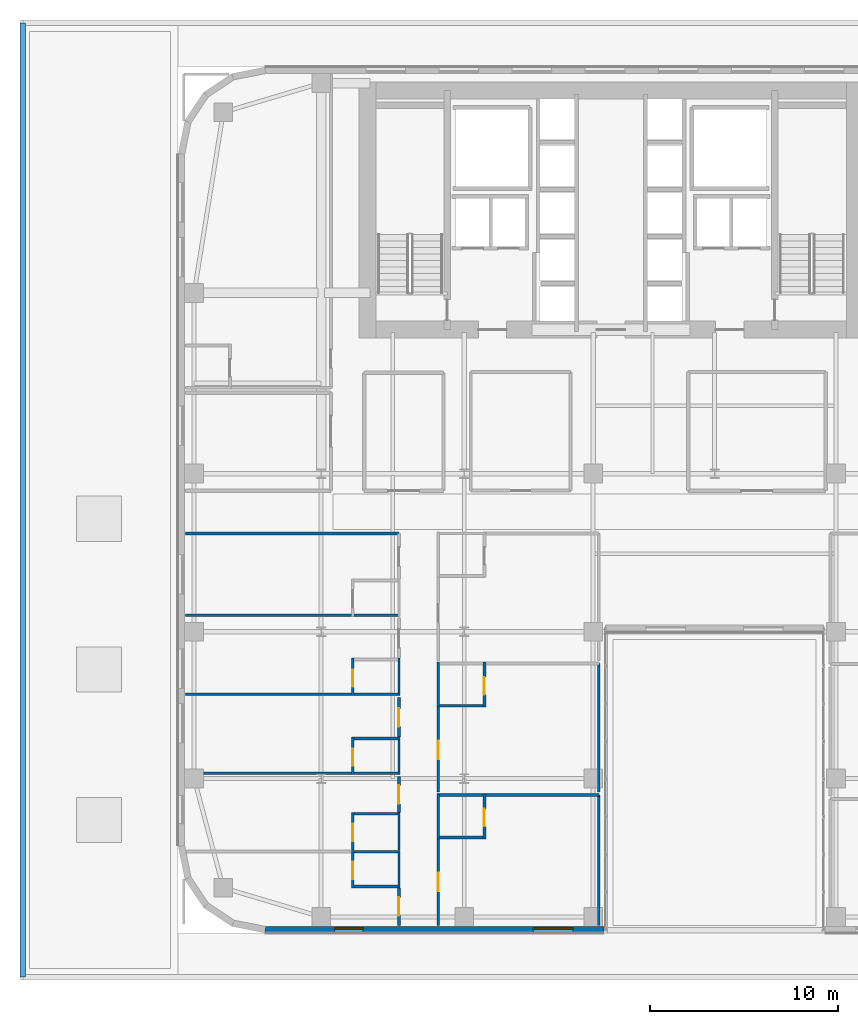
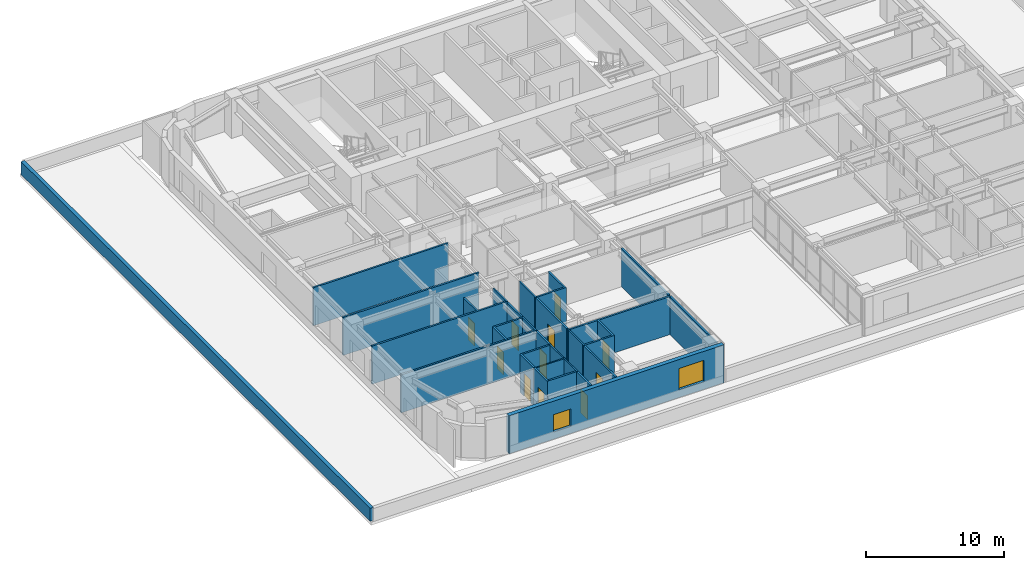
# One storey, part 13 of 25: 33 walls, 11 doors, 2 windows, 13 openings.
"""IFC4 building model written with IfcOpenShell, lengths in metres."""

from ifc_helpers import new_model, si_unit, direction, frame, frame_2d, origin, place, context, subcontext, project, spatial, rectangle, extrude, source, transform, mapped, material, layer, layer_set, type_object, type_shapes, element, fill, save


model = new_model("IFC4")

# Units and contexts
model_context = context("Model", 3, precision=1e-05, world=origin(), true_north=direction((0.0, 1.0)))
body_context = subcontext(model_context, "Body", "Model", "MODEL_VIEW")
ifc_project = project(units=[si_unit("LENGTHUNIT", "METRE"), si_unit("AREAUNIT", "SQUARE_METRE"), si_unit("VOLUMEUNIT", "CUBIC_METRE"), si_unit("PLANEANGLEUNIT", "RADIAN"), si_unit("MASSUNIT", "GRAM", prefix="KILO")], contexts=[model_context])

# Site, building, storey
site_placement = place(None, origin())
site = spatial("IfcSite", under=ifc_project, at=site_placement, CompositionType="ELEMENT")
building_placement = place(site_placement, origin())
building = spatial("IfcBuilding", under=site, at=building_placement, Name="Tolvann Quenvar Hotel", CompositionType="ELEMENT")
storey_placement = place(building_placement, frame((0.0, 0.0, 32.0)))
storey = spatial("IfcBuildingStorey", under=building, at=storey_placement, Name="L06", CompositionType="ELEMENT", Elevation=32.0)

# Wall, openings, windows
ifc_material_1 = material(Name="Kiln-fired red and buff architectural clay brickwork and terracotta masonry", Category="masonry")
ifc_layer_1 = layer(ifc_material_1, 0.35009765625)
ifc_layer_set_1 = layer_set([ifc_layer_1], Name="Kiln-fired red and buff architectural clay brickwork and terracotta masonry")
wall_type_1 = type_object("IfcWallType", Name="WALL_EXT_BRICK_350", PredefinedType="SOLIDWALL", material=ifc_layer_set_1)
wall_1_placement = place(storey_placement, frame((4.6171875, 0.175048828125, 0.0), z_axis=(0.0, 0.0, 1.0), x_axis=(1.0, 0.0, 0.0)))
wall_1 = element("IfcWall", 1, at=wall_1_placement, inside=storey, type_object=wall_type_1, Name="Exterior Chicago Brick Wall L06-E04", PredefinedType="SOLIDWALL", context=body_context, shape_type="SweptSolid", body=[
    extrude(rectangle(XDim=18.0078125, YDim=0.35009765625, at=frame_2d((9.00390625, 0.0))), origin(), (0.0, 0.0, 1.0), 3.3701171875),
])
opening_1_placement = place(wall_1_placement, frame((14.257080078125, 0.0, 0.679931640625)))
opening_1 = element("IfcOpeningElement", 2, at=opening_1_placement, cuts=wall_1, Name="Opening W-02", PredefinedType="OPENING", context=body_context, shape_type="SweptSolid", body=[
    extrude(rectangle(XDim=2.10009765625, YDim=1.89990234375, at=frame_2d((1.050048828125, 0.949951171875))), frame((0.0, 0.18505859375, 0.0), z_axis=(0.0, -1.0, 0.0), x_axis=(1.0, 0.0, 0.0)), (0.0, 0.0, 1.0), 0.3701171875),
])
opening_2_placement = place(wall_1_placement, frame((3.699951171875, 0.0, 0.6201171875)))
opening_2 = element("IfcOpeningElement", 3, at=opening_2_placement, cuts=wall_1, Name="Opening W-08", PredefinedType="OPENING", context=body_context, shape_type="SweptSolid", body=[
    extrude(rectangle(XDim=1.5, YDim=1.550048828125, at=frame_2d((0.75, 0.77490234375))), frame((0.0, 0.18505859375, 0.0), z_axis=(0.0, -1.0, 0.0), x_axis=(1.0, 0.0, 0.0)), (0.0, 0.0, 1.0), 0.3701171875),
])
ifc_material_2 = material(Name="Thermally broken bronze-anodised aluminium frame with double low-E glazing", Category="aluminium")
window_type_1 = type_object("IfcWindowType", Name="WIN_COR_1500x2050", PartitioningType="SINGLE_PANEL", PredefinedType="WINDOW", material=ifc_material_2)
shared_shape_1 = source(origin(), body_context, "Body", "SweptSolid", [
    extrude(rectangle(XDim=1.5, YDim=1.550048828125, at=frame_2d((0.75, 0.77490234375))), frame((0.0, 0.090087890625, 0.0), z_axis=(0.0, -1.0, 0.0), x_axis=(1.0, 0.0, 0.0)), (0.0, 0.0, 1.0), 0.06005859375),
])
type_shapes(window_type_1, [shared_shape_1])
window_1_placement = place(opening_2_placement, origin())
window_1 = element("IfcWindow", 4, at=window_1_placement, inside=storey, type_object=window_type_1, Name="Chicago Window W-08 (EW-L06-E04-WD02)", OverallHeight=1.550048828125, OverallWidth=1.5, PartitioningType="SINGLE_PANEL", PredefinedType="WINDOW", context=body_context, shape_type="MappedRepresentation", body=[
    mapped(shared_shape_1, transform((0.0, 0.0, 0.0), x_axis=(1.0, 0.0, 0.0), y_axis=(0.0, 1.0, 0.0), z_axis=(0.0, 0.0, 1.0), scale=1.0)),
])
fill(opening_2, window_1)
window_type_2 = type_object("IfcWindowType", Name="WIN_CHI_2100x2050", PartitioningType="TRIPLE_PANEL_HORIZONTAL", PredefinedType="WINDOW", material=ifc_material_2)
shared_shape_2 = source(origin(), body_context, "Body", "SweptSolid", [
    extrude(rectangle(XDim=2.10009765625, YDim=1.89990234375, at=frame_2d((1.050048828125, 0.949951171875))), frame((0.0, 0.090087890625, 0.0), z_axis=(0.0, -1.0, 0.0), x_axis=(1.0, 0.0, 0.0)), (0.0, 0.0, 1.0), 0.06005859375),
])
type_shapes(window_type_2, [shared_shape_2])
window_2_placement = place(opening_1_placement, origin())
window_2 = element("IfcWindow", 5, at=window_2_placement, inside=storey, type_object=window_type_2, Name="Chicago Window W-02 (EW-L06-E04-W01)", OverallHeight=1.89990234375, OverallWidth=2.10009765625, PartitioningType="TRIPLE_PANEL_HORIZONTAL", PredefinedType="WINDOW", context=body_context, shape_type="MappedRepresentation", body=[
    mapped(shared_shape_2, transform((0.0, 0.0, 0.0), x_axis=(1.0, 0.0, 0.0), y_axis=(0.0, 1.0, 0.0), z_axis=(0.0, 0.0, 1.0), scale=1.0)),
])
fill(opening_1, window_2)

# Walls
ifc_layer_2 = layer(ifc_material_1, 0.300048828125)
ifc_layer_set_2 = layer_set([ifc_layer_2], Name="Kiln-fired red and buff architectural clay brickwork and terracotta masonry")
wall_type_2 = type_object("IfcWallType", Name="WALL_PARAPET_300", PredefinedType="PARAPET", material=ifc_layer_set_2)
wall_2_placement = place(storey_placement, frame((-8.25, -2.35009765625, 0.0), z_axis=(0.0, 0.0, 1.0), x_axis=(0.0, 1.0, 0.0)))
element("IfcWall", 6, at=wall_2_placement, inside=storey, type_object=wall_type_2, Name="Podium Roof Parapet POD-W", PredefinedType="PARAPET", context=body_context, shape_type="SweptSolid", body=[
    extrude(rectangle(XDim=50.7001953125, YDim=0.300048828125, at=frame_2d((25.35009765625, 0.0))), origin(), (0.0, 0.0, 1.0), 1.14990234375),
])
ifc_material_3 = material(Name="Moisture-resistant acoustic plumbing wall assembly")
ifc_layer_3 = layer(ifc_material_3, 0.1201171875)
ifc_layer_set_3 = layer_set([ifc_layer_3], Name="Moisture-resistant acoustic plumbing wall assembly")
wall_type_3 = type_object("IfcWallType", Name="WALL_PART_BATH_120", PredefinedType="PLUMBINGWALL", material=ifc_layer_set_3)
wall_3_placement = place(storey_placement, frame((9.2099609375, 4.320068359375, 0.0), z_axis=(0.0, 0.0, 1.0), x_axis=(1.0, 0.0, 0.0)))
element("IfcWall", 7, at=wall_3_placement, inside=storey, type_object=wall_type_3, Name="Non-Rated Plumbing Partition PT-SPC-L06-ENS-WO01-N", PredefinedType="PLUMBINGWALL", context=body_context, shape_type="SweptSolid", body=[
    extrude(rectangle(XDim=2.590087890625, YDim=0.1201171875, at=frame_2d((1.294921875, 0.0))), origin(), (0.0, 0.0, 1.0), 3.3701171875),
])
for number, where, z_axis, x_axis, name in (
    (8, (11.72998046875, 2.39990234375, 0.0), (0.0, 0.0, 1.0), (0.0, 1.0, 0.0), "Non-Rated Plumbing Partition PT-SPC-L06-ENS-WO01-E"),
    (9, (11.72998046875, 4.409912109375, 0.0), (0.0, 0.0, 1.0), (0.0, 1.0, 0.0), "Non-Rated Plumbing Partition PT-SPC-L06-ENS-WO02-E"),
    (10, (11.72998046875, 8.409912109375, 0.0), (0.0, 0.0, 1.0), (0.0, 1.0, 0.0), "Non-Rated Plumbing Partition PT-SPC-L06-ENS-WO03-E"),
    (11, (11.72998046875, 12.610107421875, 0.0), (0.0, 0.0, 1.0), (0.0, 1.0, 0.0), "Non-Rated Plumbing Partition PT-SPC-L06-ENS-WO04-E"),
):
    element("IfcWall", number, at=place(storey_placement, frame(where, z_axis=z_axis, x_axis=x_axis)), inside=storey, type_object=wall_type_3, Name=name, PredefinedType="PLUMBINGWALL", context=body_context, shape_type="SweptSolid", body=[
        extrude(rectangle(XDim=1.989990234375, YDim=0.1201171875, at=frame_2d((0.9951171875, 0.0))), origin(), (0.0, 0.0, 1.0), 3.3701171875),
    ])
for number, where, z_axis, x_axis, name in (
    (12, (13.820068359375, 5.0, 0.0), (0.0, 0.0, 1.0), (0.0, 1.0, 0.0), "Non-Rated Plumbing Partition PT-SPC-L06-ENS-WI01-W"),
    (13, (13.820068359375, 12.0, 0.0), (0.0, 0.0, 1.0), (0.0, 1.0, 0.0), "Non-Rated Plumbing Partition PT-SPC-L06-ENS-WI02-W"),
):
    element("IfcWall", number, at=place(storey_placement, frame(where, z_axis=z_axis, x_axis=x_axis)), inside=storey, type_object=wall_type_3, Name=name, PredefinedType="PLUMBINGWALL", context=body_context, shape_type="SweptSolid", body=[
        extrude(rectangle(XDim=2.389892578125, YDim=0.1201171875, at=frame_2d((1.19482421875, 0.0))), origin(), (0.0, 0.0, 1.0), 3.3701171875),
    ])

# Wall, opening, door
ifc_material_4 = material(Name="Acoustic twin-stud fire-rated gypsum plasterboard partition")
ifc_layer_4 = layer(ifc_material_4, 0.14990234375)
ifc_layer_set_4 = layer_set([ifc_layer_4], Name="Acoustic twin-stud fire-rated gypsum plasterboard partition")
wall_type_4 = type_object("IfcWallType", Name="WALL_PART_SUITE_150", PredefinedType="PARTITIONING", material=ifc_layer_set_4)
wall_4_placement = place(storey_placement, frame((9.280029296875, 2.39990234375, 0.0), z_axis=(0.0, 0.0, 1.0), x_axis=(0.0, 1.0, 0.0)))
wall_4 = element("IfcWall", 14, at=wall_4_placement, inside=storey, type_object=wall_type_4, Name="Interior Partition PT-SPC-L06-ENS-WO01-ENT", PredefinedType="PARTITIONING", context=body_context, shape_type="SweptSolid", body=[
    extrude(rectangle(XDim=1.989990234375, YDim=0.14990234375, at=frame_2d((0.9951171875, 0.0))), origin(), (0.0, 0.0, 1.0), 3.3701171875),
])
opening_3_placement = place(wall_4_placement, frame((0.465087890625, 0.0, 0.0)))
opening_3 = element("IfcOpeningElement", 15, at=opening_3_placement, cuts=wall_4, Name="Opening WD-01", PredefinedType="OPENING", context=body_context, shape_type="SweptSolid", body=[
    extrude(rectangle(XDim=0.919921875, YDim=2.010009765625, at=frame_2d((0.4599609375, 1.0048828125))), frame((0.0, 0.0849609375, 0.0), z_axis=(0.0, -1.0, 0.0), x_axis=(1.0, 0.0, 0.0)), (0.0, 0.0, 1.0), 0.169921875),
])
ifc_material_5 = material(Name="Solid-core American oak acoustic fire door leaf in steel frame", Category="steel")
door_type_1 = type_object("IfcDoorType", Name="DOOR_WC_920", OperationType="NOTDEFINED", PredefinedType="DOOR", material=ifc_material_5)
shared_shape_3 = source(origin(), body_context, "Body", "SweptSolid", [
    extrude(rectangle(XDim=0.919921875, YDim=2.010009765625, at=frame_2d((0.4599609375, 1.0048828125))), frame((0.0, 0.02490234375, 0.0), z_axis=(0.0, -1.0, 0.0), x_axis=(1.0, 0.0, 0.0)), (0.0, 0.0, 1.0), 0.050048828125),
])
type_shapes(door_type_1, [shared_shape_3])
door_1_placement = place(opening_3_placement, origin())
door_1 = element("IfcDoor", 16, at=door_1_placement, inside=storey, type_object=door_type_1, Name="Interior Door DOOR-SPC-L06-ENS-WO01", OperationType="SINGLE_SWING_RIGHT", OverallHeight=2.010009765625, OverallWidth=0.919921875, PredefinedType="DOOR", context=body_context, shape_type="MappedRepresentation", body=[
    mapped(shared_shape_3, transform((0.0, 0.0, 0.0), x_axis=(1.0, 0.0, 0.0), y_axis=(0.0, 1.0, 0.0), z_axis=(0.0, 0.0, 1.0), scale=1.0)),
])
fill(opening_3, door_1)

# Wall
wall_5_placement = place(storey_placement, frame((9.2099609375, 2.469970703125, 0.0), z_axis=(0.0, 0.0, 1.0), x_axis=(1.0, 0.0, 0.0)))
element("IfcWall", 17, at=wall_5_placement, inside=storey, type_object=wall_type_4, Name="Interior Partition PT-SPC-L06-ENS-WO01-S", PredefinedType="PARTITIONING", context=body_context, shape_type="SweptSolid", body=[
    extrude(rectangle(XDim=2.590087890625, YDim=0.14990234375, at=frame_2d((1.294921875, 0.0))), origin(), (0.0, 0.0, 1.0), 3.3701171875),
])

# Wall, opening, door
wall_6_placement = place(storey_placement, frame((9.280029296875, 4.409912109375, 0.0), z_axis=(0.0, 0.0, 1.0), x_axis=(0.0, 1.0, 0.0)))
wall_6 = element("IfcWall", 18, at=wall_6_placement, inside=storey, type_object=wall_type_4, Name="Interior Partition PT-SPC-L06-ENS-WO02-ENT", PredefinedType="PARTITIONING", context=body_context, shape_type="SweptSolid", body=[
    extrude(rectangle(XDim=1.989990234375, YDim=0.14990234375, at=frame_2d((0.9951171875, 0.0))), origin(), (0.0, 0.0, 1.0), 3.3701171875),
])
opening_4_placement = place(wall_6_placement, frame((0.465087890625, 0.0, 0.0)))
opening_4 = element("IfcOpeningElement", 19, at=opening_4_placement, cuts=wall_6, Name="Opening WD-01", PredefinedType="OPENING", context=body_context, shape_type="SweptSolid", body=[
    extrude(rectangle(XDim=0.919921875, YDim=2.010009765625, at=frame_2d((0.4599609375, 1.0048828125))), frame((0.0, 0.0849609375, 0.0), z_axis=(0.0, -1.0, 0.0), x_axis=(1.0, 0.0, 0.0)), (0.0, 0.0, 1.0), 0.169921875),
])
door_2_placement = place(opening_4_placement, origin())
door_2 = element("IfcDoor", 20, at=door_2_placement, inside=storey, type_object=door_type_1, Name="Interior Door DOOR-SPC-L06-ENS-WO02", OperationType="SINGLE_SWING_LEFT", OverallHeight=2.010009765625, OverallWidth=0.919921875, PredefinedType="DOOR", context=body_context, shape_type="MappedRepresentation", body=[
    mapped(shared_shape_3, transform((0.0, 0.0, 0.0), x_axis=(1.0, 0.0, 0.0), y_axis=(0.0, 1.0, 0.0), z_axis=(0.0, 0.0, 1.0), scale=1.0)),
])
fill(opening_4, door_2)

# Wall
wall_7_placement = place(storey_placement, frame((9.2099609375, 6.330078125, 0.0), z_axis=(0.0, 0.0, 1.0), x_axis=(1.0, 0.0, 0.0)))
element("IfcWall", 21, at=wall_7_placement, inside=storey, type_object=wall_type_4, Name="Interior Partition PT-SPC-L06-ENS-WO02-N", PredefinedType="PARTITIONING", context=body_context, shape_type="SweptSolid", body=[
    extrude(rectangle(XDim=2.590087890625, YDim=0.14990234375, at=frame_2d((1.294921875, 0.0))), origin(), (0.0, 0.0, 1.0), 3.3701171875),
])

# Wall, opening, door
wall_8_placement = place(storey_placement, frame((9.280029296875, 8.409912109375, 0.0), z_axis=(0.0, 0.0, 1.0), x_axis=(0.0, 1.0, 0.0)))
wall_8 = element("IfcWall", 22, at=wall_8_placement, inside=storey, type_object=wall_type_4, Name="Interior Partition PT-SPC-L06-ENS-WO03-ENT", PredefinedType="PARTITIONING", context=body_context, shape_type="SweptSolid", body=[
    extrude(rectangle(XDim=1.989990234375, YDim=0.14990234375, at=frame_2d((0.9951171875, 0.0))), origin(), (0.0, 0.0, 1.0), 3.3701171875),
])
opening_5_placement = place(wall_8_placement, frame((0.465087890625, 0.0, 0.0)))
opening_5 = element("IfcOpeningElement", 23, at=opening_5_placement, cuts=wall_8, Name="Opening WD-01", PredefinedType="OPENING", context=body_context, shape_type="SweptSolid", body=[
    extrude(rectangle(XDim=0.919921875, YDim=2.010009765625, at=frame_2d((0.4599609375, 1.0048828125))), frame((0.0, 0.0849609375, 0.0), z_axis=(0.0, -1.0, 0.0), x_axis=(1.0, 0.0, 0.0)), (0.0, 0.0, 1.0), 0.169921875),
])
door_3_placement = place(opening_5_placement, origin())
door_3 = element("IfcDoor", 24, at=door_3_placement, inside=storey, type_object=door_type_1, Name="Interior Door DOOR-SPC-L06-ENS-WO03", OperationType="SINGLE_SWING_RIGHT", OverallHeight=2.010009765625, OverallWidth=0.919921875, PredefinedType="DOOR", context=body_context, shape_type="MappedRepresentation", body=[
    mapped(shared_shape_3, transform((0.0, 0.0, 0.0), x_axis=(1.0, 0.0, 0.0), y_axis=(0.0, 1.0, 0.0), z_axis=(0.0, 0.0, 1.0), scale=1.0)),
])
fill(opening_5, door_3)

# Walls
wall_9_placement = place(storey_placement, frame((0.405029296875, 8.47998046875, 0.0), z_axis=(0.0, 0.0, 1.0), x_axis=(1.0, 0.0, 0.0)))
element("IfcWall", 25, at=wall_9_placement, inside=storey, type_object=wall_type_4, Name="Interior Partition PT-SPC-L06-ENS-WO03-S", PredefinedType="PARTITIONING", context=body_context, shape_type="SweptSolid", body=[
    extrude(rectangle(XDim=11.39501953125, YDim=0.14990234375, at=frame_2d((5.697509765625, 0.0))), origin(), (0.0, 0.0, 1.0), 3.3701171875),
])
wall_10_placement = place(storey_placement, frame((9.2099609375, 10.330078125, 0.0), z_axis=(0.0, 0.0, 1.0), x_axis=(1.0, 0.0, 0.0)))
element("IfcWall", 26, at=wall_10_placement, inside=storey, type_object=wall_type_4, Name="Interior Partition PT-SPC-L06-ENS-WO03-N", PredefinedType="PARTITIONING", context=body_context, shape_type="SweptSolid", body=[
    extrude(rectangle(XDim=2.590087890625, YDim=0.14990234375, at=frame_2d((1.294921875, 0.0))), origin(), (0.0, 0.0, 1.0), 3.3701171875),
])

# Wall, opening, door
wall_11_placement = place(storey_placement, frame((9.280029296875, 12.610107421875, 0.0), z_axis=(0.0, 0.0, 1.0), x_axis=(0.0, 1.0, 0.0)))
wall_11 = element("IfcWall", 27, at=wall_11_placement, inside=storey, type_object=wall_type_4, Name="Interior Partition PT-SPC-L06-ENS-WO04-ENT", PredefinedType="PARTITIONING", context=body_context, shape_type="SweptSolid", body=[
    extrude(rectangle(XDim=1.989990234375, YDim=0.14990234375, at=frame_2d((0.9951171875, 0.0))), origin(), (0.0, 0.0, 1.0), 3.3701171875),
])
opening_6_placement = place(wall_11_placement, frame((0.465087890625, 0.0, 0.0)))
opening_6 = element("IfcOpeningElement", 28, at=opening_6_placement, cuts=wall_11, Name="Opening WD-01", PredefinedType="OPENING", context=body_context, shape_type="SweptSolid", body=[
    extrude(rectangle(XDim=0.919921875, YDim=2.010009765625, at=frame_2d((0.4599609375, 1.0048828125))), frame((0.0, 0.0849609375, 0.0), z_axis=(0.0, -1.0, 0.0), x_axis=(1.0, 0.0, 0.0)), (0.0, 0.0, 1.0), 0.169921875),
])
door_4_placement = place(opening_6_placement, origin())
door_4 = element("IfcDoor", 29, at=door_4_placement, inside=storey, type_object=door_type_1, Name="Interior Door DOOR-SPC-L06-ENS-WO04", OperationType="SINGLE_SWING_LEFT", OverallHeight=2.010009765625, OverallWidth=0.919921875, PredefinedType="DOOR", context=body_context, shape_type="MappedRepresentation", body=[
    mapped(shared_shape_3, transform((0.0, 0.0, 0.0), x_axis=(1.0, 0.0, 0.0), y_axis=(0.0, 1.0, 0.0), z_axis=(0.0, 0.0, 1.0), scale=1.0)),
])
fill(opening_6, door_4)

# Walls
for number, where, z_axis, x_axis, name in (
    (30, (0.405029296875, 12.679931640625, 0.0), (0.0, 0.0, 1.0), (1.0, 0.0, 0.0), "Interior Partition PT-SPC-L06-ENS-WO04-S"),
    (31, (0.405029296875, 16.8798828125, 0.0), (0.0, 0.0, 1.0), (1.0, 0.0, 0.0), "Interior Partition PT-SPC-L06-ENS-WO05-S"),
):
    element("IfcWall", number, at=place(storey_placement, frame(where, z_axis=z_axis, x_axis=x_axis)), inside=storey, type_object=wall_type_4, Name=name, PredefinedType="PARTITIONING", context=body_context, shape_type="SweptSolid", body=[
        extrude(rectangle(XDim=11.39501953125, YDim=0.14990234375, at=frame_2d((5.697509765625, 0.0))), origin(), (0.0, 0.0, 1.0), 3.3701171875),
    ])

# Wall, opening, door
wall_12_placement = place(storey_placement, frame((16.27001953125, 5.0, 0.0), z_axis=(0.0, 0.0, 1.0), x_axis=(0.0, 1.0, 0.0)))
wall_12 = element("IfcWall", 32, at=wall_12_placement, inside=storey, type_object=wall_type_4, Name="Interior Partition PT-SPC-L06-ENS-WI01-ENT", PredefinedType="PARTITIONING", context=body_context, shape_type="SweptSolid", body=[
    extrude(rectangle(XDim=2.389892578125, YDim=0.14990234375, at=frame_2d((1.19482421875, 0.0))), origin(), (0.0, 0.0, 1.0), 3.3701171875),
])
opening_7_placement = place(wall_12_placement, frame((0.6650390625, 0.0, 0.0)))
opening_7 = element("IfcOpeningElement", 33, at=opening_7_placement, cuts=wall_12, Name="Opening WD-01", PredefinedType="OPENING", context=body_context, shape_type="SweptSolid", body=[
    extrude(rectangle(XDim=0.919921875, YDim=2.010009765625, at=frame_2d((0.4599609375, 1.0048828125))), frame((0.0, 0.0849609375, 0.0), z_axis=(0.0, -1.0, 0.0), x_axis=(1.0, 0.0, 0.0)), (0.0, 0.0, 1.0), 0.169921875),
])
door_5_placement = place(opening_7_placement, origin())
door_5 = element("IfcDoor", 34, at=door_5_placement, inside=storey, type_object=door_type_1, Name="Interior Door DOOR-SPC-L06-ENS-WI01", OperationType="SINGLE_SWING_LEFT", OverallHeight=2.010009765625, OverallWidth=0.919921875, PredefinedType="DOOR", context=body_context, shape_type="MappedRepresentation", body=[
    mapped(shared_shape_3, transform((0.0, 0.0, 0.0), x_axis=(1.0, 0.0, 0.0), y_axis=(0.0, 1.0, 0.0), z_axis=(0.0, 0.0, 1.0), scale=1.0)),
])
fill(opening_7, door_5)

# Walls
for number, where, z_axis, x_axis, name in (
    (35, (13.75, 5.070068359375, 0.0), (0.0, 0.0, 1.0), (1.0, 0.0, 0.0), "Interior Partition PT-SPC-L06-ENS-WI01-S"),
    (36, (13.75, 7.320068359375, 0.0), (0.0, 0.0, 1.0), (1.0, 0.0, 0.0), "Interior Partition PT-SPC-L06-ENS-WI01-N"),
):
    element("IfcWall", number, at=place(storey_placement, frame(where, z_axis=z_axis, x_axis=x_axis)), inside=storey, type_object=wall_type_4, Name=name, PredefinedType="PARTITIONING", context=body_context, shape_type="SweptSolid", body=[
        extrude(rectangle(XDim=2.590087890625, YDim=0.14990234375, at=frame_2d((1.294921875, 0.0))), origin(), (0.0, 0.0, 1.0), 3.3701171875),
    ])

# Wall, opening, door
wall_13_placement = place(storey_placement, frame((16.27001953125, 12.0, 0.0), z_axis=(0.0, 0.0, 1.0), x_axis=(0.0, 1.0, 0.0)))
wall_13 = element("IfcWall", 37, at=wall_13_placement, inside=storey, type_object=wall_type_4, Name="Interior Partition PT-SPC-L06-ENS-WI02-ENT", PredefinedType="PARTITIONING", context=body_context, shape_type="SweptSolid", body=[
    extrude(rectangle(XDim=2.389892578125, YDim=0.14990234375, at=frame_2d((1.19482421875, 0.0))), origin(), (0.0, 0.0, 1.0), 3.3701171875),
])
opening_8_placement = place(wall_13_placement, frame((0.6650390625, 0.0, 0.0)))
opening_8 = element("IfcOpeningElement", 38, at=opening_8_placement, cuts=wall_13, Name="Opening WD-01", PredefinedType="OPENING", context=body_context, shape_type="SweptSolid", body=[
    extrude(rectangle(XDim=0.919921875, YDim=2.010009765625, at=frame_2d((0.4599609375, 1.0048828125))), frame((0.0, 0.0849609375, 0.0), z_axis=(0.0, -1.0, 0.0), x_axis=(1.0, 0.0, 0.0)), (0.0, 0.0, 1.0), 0.169921875),
])
door_6_placement = place(opening_8_placement, origin())
door_6 = element("IfcDoor", 39, at=door_6_placement, inside=storey, type_object=door_type_1, Name="Interior Door DOOR-SPC-L06-ENS-WI02", OperationType="SINGLE_SWING_RIGHT", OverallHeight=2.010009765625, OverallWidth=0.919921875, PredefinedType="DOOR", context=body_context, shape_type="MappedRepresentation", body=[
    mapped(shared_shape_3, transform((0.0, 0.0, 0.0), x_axis=(1.0, 0.0, 0.0), y_axis=(0.0, 1.0, 0.0), z_axis=(0.0, 0.0, 1.0), scale=1.0)),
])
fill(opening_8, door_6)

# Wall
wall_14_placement = place(storey_placement, frame((13.75, 12.070068359375, 0.0), z_axis=(0.0, 0.0, 1.0), x_axis=(1.0, 0.0, 0.0)))
element("IfcWall", 40, at=wall_14_placement, inside=storey, type_object=wall_type_4, Name="Interior Partition PT-SPC-L06-ENS-WI02-S", PredefinedType="PARTITIONING", context=body_context, shape_type="SweptSolid", body=[
    extrude(rectangle(XDim=2.590087890625, YDim=0.14990234375, at=frame_2d((1.294921875, 0.0))), origin(), (0.0, 0.0, 1.0), 3.3701171875),
])

# Wall, opening, door
wall_15_placement = place(storey_placement, frame((11.72998046875, 0.405029296875, 0.0), z_axis=(0.0, 0.0, 1.0), x_axis=(0.0, 1.0, 0.0)))
wall_15 = element("IfcWall", 41, at=wall_15_placement, inside=storey, type_object=wall_type_4, Name="Interior Partition PT-SPC-L06-RM-WO01-ENT", PredefinedType="PARTITIONING", context=body_context, shape_type="SweptSolid", body=[
    extrude(rectangle(XDim=1.98486328125, YDim=0.14990234375, at=frame_2d((0.992431640625, 0.0))), origin(), (0.0, 0.0, 1.0), 3.3701171875),
])
opening_9_placement = place(wall_15_placement, frame((0.510009765625, 0.0, 0.0)))
opening_9 = element("IfcOpeningElement", 42, at=opening_9_placement, cuts=wall_15, Name="Opening SD-01", PredefinedType="OPENING", context=body_context, shape_type="SweptSolid", body=[
    extrude(rectangle(XDim=0.97998046875, YDim=2.1201171875, at=frame_2d((0.489990234375, 1.06005859375))), frame((0.0, 0.0849609375, 0.0), z_axis=(0.0, -1.0, 0.0), x_axis=(1.0, 0.0, 0.0)), (0.0, 0.0, 1.0), 0.169921875),
])
door_type_2 = type_object("IfcDoorType", Name="DOOR_SUITE_980", OperationType="NOTDEFINED", PredefinedType="DOOR", material=ifc_material_5)
shared_shape_4 = source(origin(), body_context, "Body", "SweptSolid", [
    extrude(rectangle(XDim=0.97998046875, YDim=2.1201171875, at=frame_2d((0.489990234375, 1.06005859375))), frame((0.0, 0.02490234375, 0.0), z_axis=(0.0, -1.0, 0.0), x_axis=(1.0, 0.0, 0.0)), (0.0, 0.0, 1.0), 0.050048828125),
])
type_shapes(door_type_2, [shared_shape_4])
door_7_placement = place(opening_9_placement, origin())
door_7 = element("IfcDoor", 43, at=door_7_placement, inside=storey, type_object=door_type_2, Name="Interior Door DOOR-SPC-L06-RM-WO01", OperationType="SINGLE_SWING_RIGHT", OverallHeight=2.1201171875, OverallWidth=0.97998046875, PredefinedType="DOOR", context=body_context, shape_type="MappedRepresentation", body=[
    mapped(shared_shape_4, transform((0.0, 0.0, 0.0), x_axis=(1.0, 0.0, 0.0), y_axis=(0.0, 1.0, 0.0), z_axis=(0.0, 0.0, 1.0), scale=1.0)),
])
fill(opening_9, door_7)

wall_16_placement = place(storey_placement, frame((11.72998046875, 6.409912109375, 0.0), z_axis=(0.0, 0.0, 1.0), x_axis=(0.0, 1.0, 0.0)))
wall_16 = element("IfcWall", 44, at=wall_16_placement, inside=storey, type_object=wall_type_4, Name="Interior Partition PT-SPC-L06-RM-WO02-ENT", PredefinedType="PARTITIONING", context=body_context, shape_type="SweptSolid", body=[
    extrude(rectangle(XDim=1.91015625, YDim=0.14990234375, at=frame_2d((0.955078125, 0.0))), origin(), (0.0, 0.0, 1.0), 3.3701171875),
])
opening_10_placement = place(wall_16_placement, frame((0.445068359375, 0.0, 0.0)))
opening_10 = element("IfcOpeningElement", 45, at=opening_10_placement, cuts=wall_16, Name="Opening SD-01", PredefinedType="OPENING", context=body_context, shape_type="SweptSolid", body=[
    extrude(rectangle(XDim=0.97998046875, YDim=2.1201171875, at=frame_2d((0.489990234375, 1.06005859375))), frame((0.0, 0.0849609375, 0.0), z_axis=(0.0, -1.0, 0.0), x_axis=(1.0, 0.0, 0.0)), (0.0, 0.0, 1.0), 0.169921875),
])
door_8_placement = place(opening_10_placement, origin())
door_8 = element("IfcDoor", 46, at=door_8_placement, inside=storey, type_object=door_type_2, Name="Interior Door DOOR-SPC-L06-RM-WO02", OperationType="SINGLE_SWING_LEFT", OverallHeight=2.1201171875, OverallWidth=0.97998046875, PredefinedType="DOOR", context=body_context, shape_type="MappedRepresentation", body=[
    mapped(shared_shape_4, transform((0.0, 0.0, 0.0), x_axis=(1.0, 0.0, 0.0), y_axis=(0.0, 1.0, 0.0), z_axis=(0.0, 0.0, 1.0), scale=1.0)),
])
fill(opening_10, door_8)

wall_17_placement = place(storey_placement, frame((11.72998046875, 10.409912109375, 0.0), z_axis=(0.0, 0.0, 1.0), x_axis=(0.0, 1.0, 0.0)))
wall_17 = element("IfcWall", 47, at=wall_17_placement, inside=storey, type_object=wall_type_4, Name="Interior Partition PT-SPC-L06-RM-WO03-ENT", PredefinedType="PARTITIONING", context=body_context, shape_type="SweptSolid", body=[
    extrude(rectangle(XDim=2.110107421875, YDim=0.14990234375, at=frame_2d((1.05517578125, 0.0))), origin(), (0.0, 0.0, 1.0), 3.3701171875),
])
opening_11_placement = place(wall_17_placement, frame((0.544921875, 0.0, 0.0)))
opening_11 = element("IfcOpeningElement", 48, at=opening_11_placement, cuts=wall_17, Name="Opening SD-01", PredefinedType="OPENING", context=body_context, shape_type="SweptSolid", body=[
    extrude(rectangle(XDim=0.97998046875, YDim=2.1201171875, at=frame_2d((0.489990234375, 1.06005859375))), frame((0.0, 0.0849609375, 0.0), z_axis=(0.0, -1.0, 0.0), x_axis=(1.0, 0.0, 0.0)), (0.0, 0.0, 1.0), 0.169921875),
])
door_9_placement = place(opening_11_placement, origin())
door_9 = element("IfcDoor", 49, at=door_9_placement, inside=storey, type_object=door_type_2, Name="Interior Door DOOR-SPC-L06-RM-WO03", OperationType="SINGLE_SWING_RIGHT", OverallHeight=2.1201171875, OverallWidth=0.97998046875, PredefinedType="DOOR", context=body_context, shape_type="MappedRepresentation", body=[
    mapped(shared_shape_4, transform((0.0, 0.0, 0.0), x_axis=(1.0, 0.0, 0.0), y_axis=(0.0, 1.0, 0.0), z_axis=(0.0, 0.0, 1.0), scale=1.0)),
])
fill(opening_11, door_9)

# Wall
wall_18_placement = place(storey_placement, frame((0.405029296875, 21.219970703125, 0.0), z_axis=(0.0, 0.0, 1.0), x_axis=(1.0, 0.0, 0.0)))
element("IfcWall", 50, at=wall_18_placement, inside=storey, type_object=wall_type_4, Name="Interior Partition PT-SPC-L06-RM-WO05-E5", PredefinedType="PARTITIONING", context=body_context, shape_type="SweptSolid", body=[
    extrude(rectangle(XDim=11.324951171875, YDim=0.14990234375, at=frame_2d((5.66259765625, 0.0))), origin(), (0.0, 0.0, 1.0), 3.3701171875),
])

# Wall, opening, door
wall_19_placement = place(storey_placement, frame((13.820068359375, 0.405029296875, 0.0), z_axis=(0.0, 0.0, 1.0), x_axis=(0.0, 1.0, 0.0)))
wall_19 = element("IfcWall", 51, at=wall_19_placement, inside=storey, type_object=wall_type_4, Name="Interior Partition PT-SPC-L06-RM-WI01-ENT", PredefinedType="PARTITIONING", context=body_context, shape_type="SweptSolid", body=[
    extrude(rectangle(XDim=4.5849609375, YDim=0.14990234375, at=frame_2d((2.29248046875, 0.0))), origin(), (0.0, 0.0, 1.0), 3.3701171875),
])
opening_12_placement = place(wall_19_placement, frame((1.81005859375, 0.0, 0.0)))
opening_12 = element("IfcOpeningElement", 52, at=opening_12_placement, cuts=wall_19, Name="Opening SD-01", PredefinedType="OPENING", context=body_context, shape_type="SweptSolid", body=[
    extrude(rectangle(XDim=0.97998046875, YDim=2.1201171875, at=frame_2d((0.489990234375, 1.06005859375))), frame((0.0, 0.0849609375, 0.0), z_axis=(0.0, -1.0, 0.0), x_axis=(1.0, 0.0, 0.0)), (0.0, 0.0, 1.0), 0.169921875),
])
door_10_placement = place(opening_12_placement, origin())
door_10 = element("IfcDoor", 53, at=door_10_placement, inside=storey, type_object=door_type_2, Name="Interior Door DOOR-SPC-L06-RM-WI01", OperationType="SINGLE_SWING_LEFT", OverallHeight=2.1201171875, OverallWidth=0.97998046875, PredefinedType="DOOR", context=body_context, shape_type="MappedRepresentation", body=[
    mapped(shared_shape_4, transform((0.0, 0.0, 0.0), x_axis=(1.0, 0.0, 0.0), y_axis=(0.0, 1.0, 0.0), z_axis=(0.0, 0.0, 1.0), scale=1.0)),
])
fill(opening_12, door_10)

# Walls
wall_20_placement = place(storey_placement, frame((22.35009765625, 0.405029296875, 0.0), z_axis=(0.0, 0.0, 1.0), x_axis=(0.0, 1.0, 0.0)))
element("IfcWall", 54, at=wall_20_placement, inside=storey, type_object=wall_type_4, Name="Interior Partition PT-SPC-L06-RM-WI01-E2", PredefinedType="PARTITIONING", context=body_context, shape_type="SweptSolid", body=[
    extrude(rectangle(XDim=6.9150390625, YDim=0.14990234375, at=frame_2d((3.45751953125, 0.0))), origin(), (0.0, 0.0, 1.0), 3.3701171875),
])
wall_21_placement = place(storey_placement, frame((16.2900390625, 7.320068359375, 0.0), z_axis=(0.0, 0.0, 1.0), x_axis=(1.0, 0.0, 0.0)))
element("IfcWall", 55, at=wall_21_placement, inside=storey, type_object=wall_type_4, Name="Interior Partition PT-SPC-L06-RM-WI01-E3", PredefinedType="PARTITIONING", context=body_context, shape_type="SweptSolid", body=[
    extrude(rectangle(XDim=6.06005859375, YDim=0.14990234375, at=frame_2d((3.030029296875, 0.0))), origin(), (0.0, 0.0, 1.0), 3.3701171875),
])

# Wall, opening, door
wall_22_placement = place(storey_placement, frame((13.820068359375, 7.47998046875, 0.0), z_axis=(0.0, 0.0, 1.0), x_axis=(0.0, 1.0, 0.0)))
wall_22 = element("IfcWall", 56, at=wall_22_placement, inside=storey, type_object=wall_type_4, Name="Interior Partition PT-SPC-L06-RM-WI02-ENT", PredefinedType="PARTITIONING", context=body_context, shape_type="SweptSolid", body=[
    extrude(rectangle(XDim=4.510009765625, YDim=0.14990234375, at=frame_2d((2.2548828125, 0.0))), origin(), (0.0, 0.0, 1.0), 3.3701171875),
])
opening_13_placement = place(wall_22_placement, frame((1.7451171875, 0.0, 0.0)))
opening_13 = element("IfcOpeningElement", 57, at=opening_13_placement, cuts=wall_22, Name="Opening SD-01", PredefinedType="OPENING", context=body_context, shape_type="SweptSolid", body=[
    extrude(rectangle(XDim=0.97998046875, YDim=2.1201171875, at=frame_2d((0.489990234375, 1.06005859375))), frame((0.0, 0.0849609375, 0.0), z_axis=(0.0, -1.0, 0.0), x_axis=(1.0, 0.0, 0.0)), (0.0, 0.0, 1.0), 0.169921875),
])
door_11_placement = place(opening_13_placement, origin())
door_11 = element("IfcDoor", 58, at=door_11_placement, inside=storey, type_object=door_type_2, Name="Interior Door DOOR-SPC-L06-RM-WI02", OperationType="SINGLE_SWING_RIGHT", OverallHeight=2.1201171875, OverallWidth=0.97998046875, PredefinedType="DOOR", context=body_context, shape_type="MappedRepresentation", body=[
    mapped(shared_shape_4, transform((0.0, 0.0, 0.0), x_axis=(1.0, 0.0, 0.0), y_axis=(0.0, 1.0, 0.0), z_axis=(0.0, 0.0, 1.0), scale=1.0)),
])
fill(opening_13, door_11)

# Wall
wall_23_placement = place(storey_placement, frame((22.35009765625, 7.47998046875, 0.0), z_axis=(0.0, 0.0, 1.0), x_axis=(0.0, 1.0, 0.0)))
element("IfcWall", 59, at=wall_23_placement, inside=storey, type_object=wall_type_4, Name="Interior Partition PT-SPC-L06-RM-WI02-E2", PredefinedType="PARTITIONING", context=body_context, shape_type="SweptSolid", body=[
    extrude(rectangle(XDim=6.840087890625, YDim=0.14990234375, at=frame_2d((3.419921875, 0.0))), origin(), (0.0, 0.0, 1.0), 3.3701171875),
])

save(model, "model.ifc")
